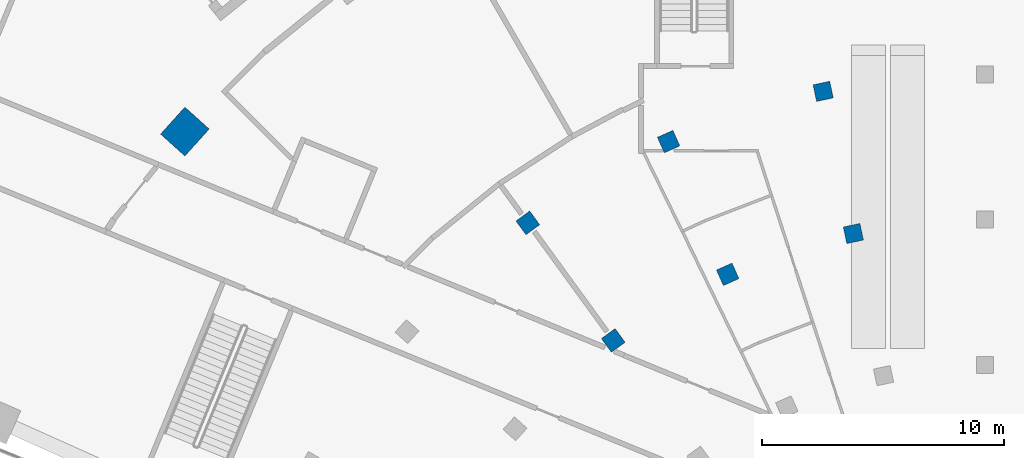
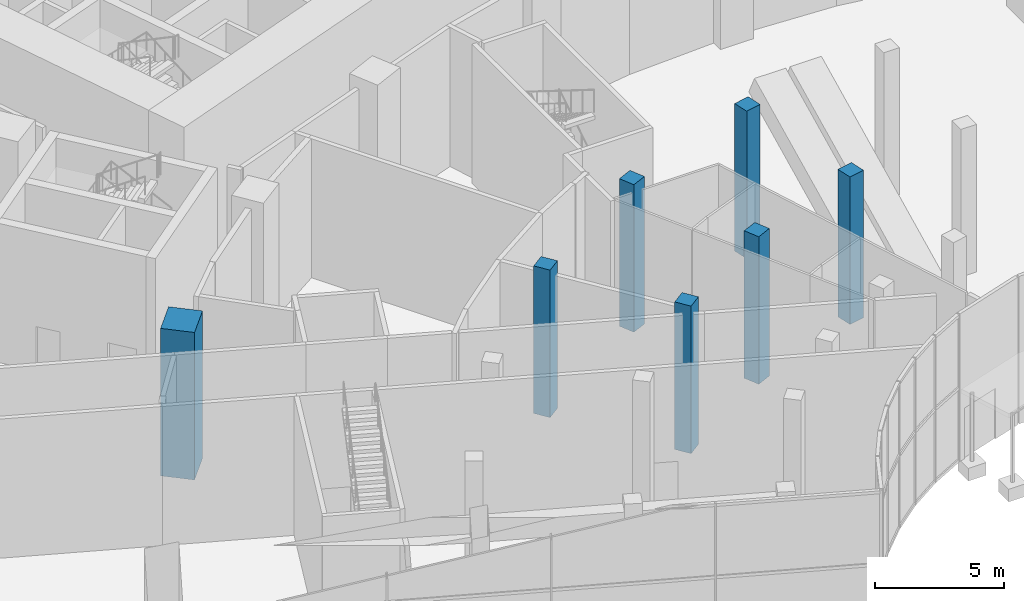
# One storey, part 4 of 60: 7 columns.
"""IFC4 building model written with IfcOpenShell, lengths in metres."""

from ifc_helpers import new_model, si_unit, direction, frame, origin, origin_2d, place, context, subcontext, project, spatial, rectangle, extrude, material, material_profile, profile_set, type_object, element, save


model = new_model("IFC4")

# Units and contexts
model_context = context("Model", 3, precision=1e-05, world=origin(), true_north=direction((0.0, 1.0)))
body_context = subcontext(model_context, "Body", "Model", "MODEL_VIEW")
ifc_project = project(units=[si_unit("LENGTHUNIT", "METRE"), si_unit("AREAUNIT", "SQUARE_METRE"), si_unit("VOLUMEUNIT", "CUBIC_METRE"), si_unit("PLANEANGLEUNIT", "RADIAN"), si_unit("MASSUNIT", "GRAM", prefix="KILO")], contexts=[model_context])

# Site, building, storey
site_placement = place(None, origin())
site = spatial("IfcSite", under=ifc_project, at=site_placement, CompositionType="ELEMENT")
building_placement = place(site_placement, origin())
building = spatial("IfcBuilding", under=site, at=building_placement, Name="Stone Belt Terrace Tower", CompositionType="ELEMENT")
storey_placement = place(building_placement, origin())
storey = spatial("IfcBuildingStorey", under=building, at=storey_placement, Name="L00", CompositionType="ELEMENT", Elevation=0.0)

# Columns
ifc_material_1 = material(Name="Concrete B80", Category="concrete")
ifc_material_profile_1 = material_profile(ifc_material_1, rectangle(XDim=1.5, YDim=1.35009765625, at=origin_2d()), Name="RC 1500x1350")
ifc_profile_set_1 = profile_set([ifc_material_profile_1], Name="Concrete B80")
column_type_1 = type_object("IfcColumnType", Name="Column RC 1500x1350 B80", PredefinedType="COLUMN", material=ifc_profile_set_1)
column_placement = place(storey_placement, frame((-33.029052734375, 29.739501953125, 0.0), z_axis=(0.0, 0.0, 1.0), x_axis=(0.669130606359, 0.743144825477, 0.0)))
element("IfcColumn", 1, at=column_placement, inside=storey, type_object=column_type_1, Name="Column L00 P14", PredefinedType="COLUMN", context=body_context, shape_type="SweptSolid", body=[
    extrude(rectangle(XDim=1.5, YDim=1.35009765625, at=origin_2d()), origin(), (0.0, 0.0, 1.0), 7.0),
])
ifc_material_2 = material(Name="Concrete B60", Category="concrete")
ifc_material_profile_2 = material_profile(ifc_material_2, rectangle(XDim=0.699951171875, YDim=0.699951171875, at=origin_2d()), Name="RC 700x700")
ifc_profile_set_2 = profile_set([ifc_material_profile_2], Name="Concrete B60")
column_type_2 = type_object("IfcColumnType", Name="Column RC 700x700 B60", PredefinedType="COLUMN", material=ifc_profile_set_2)
for number, where, z_axis, x_axis, name in (
    (2, (-15.34130859375, 21.115234375, 0.0), (0.0, 0.0, 1.0), (0.809016994375, 0.587785252292, 0.0), "Column L00 N16"),
    (3, (-10.61572265625, 23.843505859375, 0.0), (0.0, 0.0, 1.0), (0.913545457643, 0.406736643076, 0.0), "Column L00 N18"),
    (4, (-5.426513671875, 25.52978515625, 0.0), (0.0, 0.0, 1.0), (0.978147600734, 0.207911690818, 0.0), "Column L00 N20"),
    (5, (-18.867919921875, 25.969482421875, 0.0), (0.0, 0.0, 1.0), (0.809016994375, 0.587785252292, 0.0), "Column L00 O16"),
    (6, (-13.05615234375, 29.32470703125, 0.0), (0.0, 0.0, 1.0), (0.913545457643, 0.406736643076, 0.0), "Column L00 O18"),
    (7, (-6.674072265625, 31.3984375, 0.0), (0.0, 0.0, 1.0), (0.978147600734, 0.207911690818, 0.0), "Column L00 O20"),
):
    element("IfcColumn", number, at=place(storey_placement, frame(where, z_axis=z_axis, x_axis=x_axis)), inside=storey, type_object=column_type_2, Name=name, PredefinedType="COLUMN", context=body_context, shape_type="SweptSolid", body=[
        extrude(rectangle(XDim=0.699951171875, YDim=0.699951171875, at=origin_2d()), origin(), (0.0, 0.0, 1.0), 7.0),
    ])

save(model, "model.ifc")
